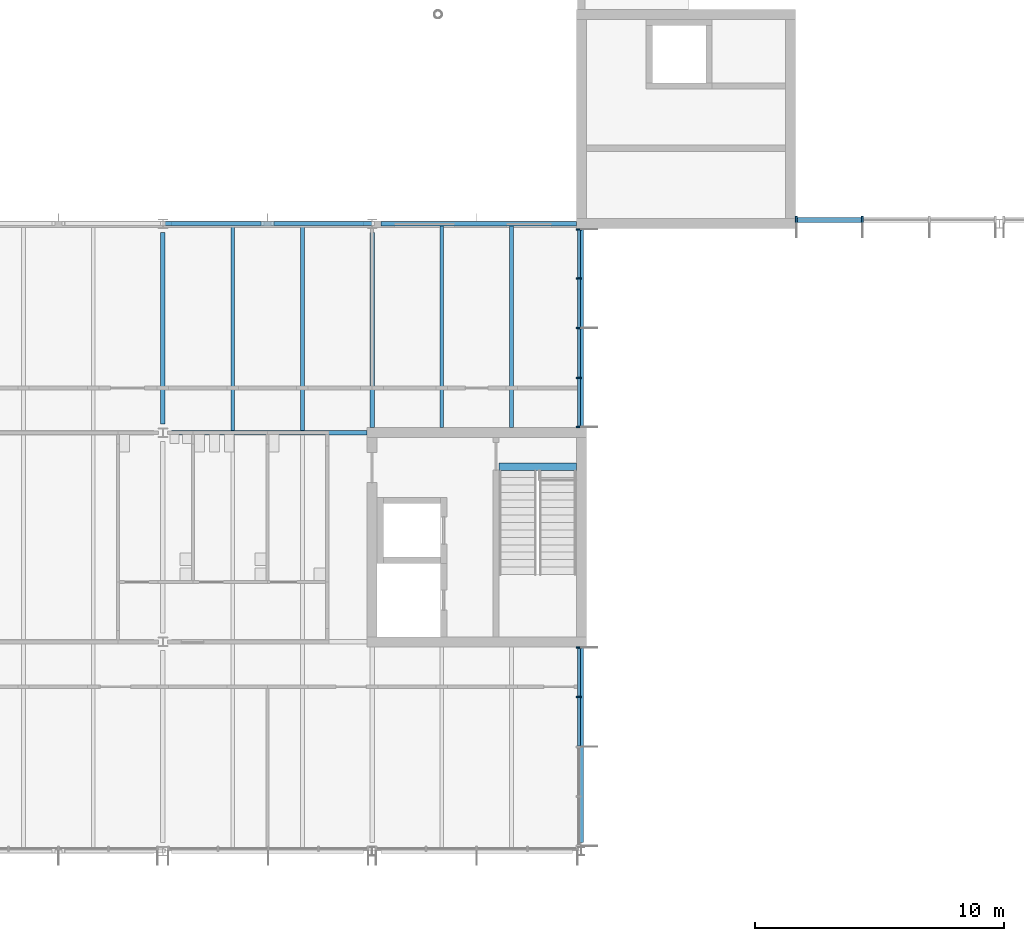
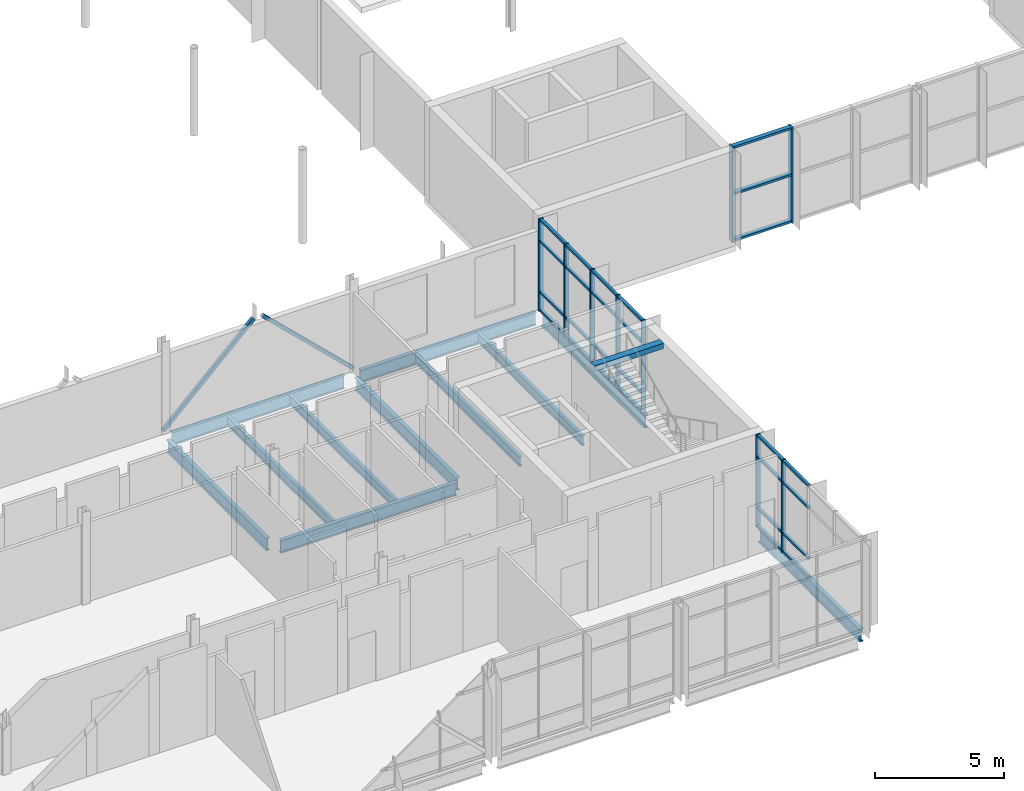
# One storey, part 15 of 89: 38 members, 12 beams, 3 elements without a shape of their own.
"""IFC4 building model written with IfcOpenShell, lengths in metres."""

from ifc_helpers import new_model, si_unit, direction, frame, origin, origin_2d, place, context, subcontext, project, spatial, rectangle, hollow_rectangle, i_section, extrude, material, material_profile, profile_set, type_object, element, aggregate, save


model = new_model("IFC4")

# Units and contexts
model_context = context("Model", 3, precision=1e-05, world=origin(), true_north=direction((0.0, 1.0)))
body_context = subcontext(model_context, "Body", "Model", "MODEL_VIEW")
ifc_project = project(units=[si_unit("LENGTHUNIT", "METRE"), si_unit("AREAUNIT", "SQUARE_METRE"), si_unit("VOLUMEUNIT", "CUBIC_METRE"), si_unit("PLANEANGLEUNIT", "RADIAN"), si_unit("MASSUNIT", "GRAM", prefix="KILO")], contexts=[model_context])

# Site, building, storey
site_placement = place(None, origin())
site = spatial("IfcSite", under=ifc_project, at=site_placement, CompositionType="ELEMENT")
building_placement = place(site_placement, origin())
building = spatial("IfcBuilding", under=site, at=building_placement, Name="Hlaing Beacon Police Headquarters", CompositionType="ELEMENT")
storey_placement = place(building_placement, frame((0.0, 0.0, 9.89990234375)))
storey = spatial("IfcBuildingStorey", under=building, at=storey_placement, Name="L02", CompositionType="ELEMENT", Elevation=9.89990234375)

# Members
ifc_material_1 = material(Name="Steel ASTM A500 Grade C", Category="steel")
ifc_material_profile_1 = material_profile(ifc_material_1, hollow_rectangle(XDim=0.15234375, YDim=0.15234375, WallThickness=0.0126953125, at=origin_2d()), Name="HSS6x6x1/2")
ifc_profile_set_1 = profile_set([ifc_material_profile_1], Name="Steel ASTM A500 Grade C")
member_type_1 = type_object("IfcMemberType", Name="Chevron brace HSS6x6x1/2", PredefinedType="BRACE", material=ifc_profile_set_1)
member_1_placement = place(storey_placement, frame((41.95703125, 33.60009765625, 0.05517578125), z_axis=(0.719900149017, 0.0, 0.694077643672), x_axis=(0.0, 1.0, 0.0)))
element("IfcMember", 1, at=member_1_placement, inside=storey, type_object=member_type_1, Name="STR-BR-L02-5Fa", PredefinedType="BRACE", context=body_context, shape_type="SweptSolid", body=[
    extrude(hollow_rectangle(XDim=0.15234375, YDim=0.15234375, WallThickness=0.0126953125, at=origin_2d()), origin(), (0.0, 0.0, 1.0), 5.615966796875),
])
member_2_placement = place(storey_placement, frame((50.443115234375, 33.60009765625, 0.05517578125), z_axis=(-0.719921090511, 0.0, 0.694055922414), x_axis=(0.0, -1.0, 0.0)))
element("IfcMember", 2, at=member_2_placement, inside=storey, type_object=member_type_1, Name="STR-BR-L02-5Fb", PredefinedType="BRACE", context=body_context, shape_type="SweptSolid", body=[
    extrude(hollow_rectangle(XDim=0.15234375, YDim=0.15234375, WallThickness=0.0126953125, at=origin_2d()), origin(), (0.0, 0.0, 1.0), 5.6162109375),
])

# Beams
ifc_material_2 = material(Name="Steel ASTM A992 Grade 50", Category="steel")
ifc_material_profile_2 = material_profile(ifc_material_2, i_section(OverallWidth=0.177978515625, OverallDepth=0.599365234375, WebThickness=0.010009765625, FlangeThickness=0.012939453125, FilletRadius=0.012939453125, at=origin_2d()), Name="W24x55")
ifc_profile_set_2 = profile_set([ifc_material_profile_2], Name="Steel ASTM A992 Grade 50")
beam_type_1 = type_object("IfcBeamType", Name="Girder W24x55", PredefinedType="BEAM", material=ifc_profile_set_2)
beam_1_placement = place(storey_placement, frame((42.35009765625, 25.199951171875, -0.4296875), z_axis=(1.0, 0.0, 0.0), x_axis=(0.0, 1.0, 0.0)))
element("IfcBeam", 3, at=beam_1_placement, inside=storey, type_object=beam_type_1, Name="STR-BM-L02-GX-F4-G4", PredefinedType="BEAM", context=body_context, shape_type="SweptSolid", body=[
    extrude(i_section(OverallWidth=0.177978515625, OverallDepth=0.599365234375, WebThickness=0.010009765625, FlangeThickness=0.012939453125, FilletRadius=0.012939453125, at=origin_2d()), origin(), (0.0, 0.0, 1.0), 7.849853515625),
])
beam_2_placement = place(storey_placement, frame((42.35009765625, 33.60009765625, -0.4296875), z_axis=(1.0, 0.0, 0.0), x_axis=(0.0, 1.0, 0.0)))
element("IfcBeam", 4, at=beam_2_placement, inside=storey, type_object=beam_type_1, Name="STR-BM-L02-GX-F5-G5", PredefinedType="BEAM", context=body_context, shape_type="SweptSolid", body=[
    extrude(i_section(OverallWidth=0.177978515625, OverallDepth=0.599365234375, WebThickness=0.010009765625, FlangeThickness=0.012939453125, FilletRadius=0.012939453125, at=origin_2d()), origin(), (0.0, 0.0, 1.0), 7.699951171875),
])
beam_3_placement = place(storey_placement, frame((50.75, 33.60009765625, -0.4296875), z_axis=(1.0, 0.0, 0.0), x_axis=(0.0, 1.0, 0.0)))
element("IfcBeam", 5, at=beam_3_placement, inside=storey, type_object=beam_type_1, Name="STR-BM-L02-GX-G5-H5", PredefinedType="BEAM", context=body_context, shape_type="SweptSolid", body=[
    extrude(i_section(OverallWidth=0.177978515625, OverallDepth=0.599365234375, WebThickness=0.010009765625, FlangeThickness=0.012939453125, FilletRadius=0.012939453125, at=origin_2d()), origin(), (0.0, 0.0, 1.0), 7.85009765625),
])
beam_4_placement = place(storey_placement, frame((42.0, 25.550048828125, -0.4296875), z_axis=(0.0, 1.0, 0.0), x_axis=(-1.0, 0.0, 0.0)))
element("IfcBeam", 6, at=beam_4_placement, inside=storey, type_object=beam_type_1, Name="STR-BM-L02-GY-F4-F5", PredefinedType="BEAM", context=body_context, shape_type="SweptSolid", body=[
    extrude(i_section(OverallWidth=0.177978515625, OverallDepth=0.599365234375, WebThickness=0.010009765625, FlangeThickness=0.012939453125, FilletRadius=0.012939453125, at=origin_2d()), origin(), (0.0, 0.0, 1.0), 7.699951171875),
])
for number, where, z_axis, x_axis, name in (
    (7, (50.39990234375, 25.39990234375, -0.4296875), (0.0, 1.0, 0.0), (-1.0, 0.0, 0.0), "STR-BM-L02-GY-G4-G5"),
    (8, (58.800048828125, 8.75, -0.4296875), (0.0, 1.0, 0.0), (-1.0, 0.0, 0.0), "STR-BM-L02-GY-H2-H3"),
):
    element("IfcBeam", number, at=place(storey_placement, frame(where, z_axis=z_axis, x_axis=x_axis)), inside=storey, type_object=beam_type_1, Name=name, PredefinedType="BEAM", context=body_context, shape_type="SweptSolid", body=[
        extrude(i_section(OverallWidth=0.177978515625, OverallDepth=0.599365234375, WebThickness=0.010009765625, FlangeThickness=0.012939453125, FilletRadius=0.012939453125, at=origin_2d()), origin(), (0.0, 0.0, 1.0), 7.85009765625),
    ])
beam_5_placement = place(storey_placement, frame((58.800048828125, 25.39990234375, -0.4296875), z_axis=(0.0, 1.0, 0.0), x_axis=(-1.0, 0.0, 0.0)))
element("IfcBeam", 9, at=beam_5_placement, inside=storey, type_object=beam_type_1, Name="STR-BM-L02-GY-H4-H5", PredefinedType="BEAM", context=body_context, shape_type="SweptSolid", body=[
    extrude(i_section(OverallWidth=0.177978515625, OverallDepth=0.599365234375, WebThickness=0.010009765625, FlangeThickness=0.012939453125, FilletRadius=0.012939453125, at=origin_2d()), origin(), (0.0, 0.0, 1.0), 8.0),
])

# Curtain wall, members
ifc_material_3 = material(Name="Aluminium frame with solar control glazing", Category="aluminium")
curtain_wall_type_1 = type_object("IfcCurtainWallType", Name="Unitised curtain wall 8.02 x 4.37", PredefinedType="NOTDEFINED", material=ifc_material_3)
curtain_wall_1_placement = place(storey_placement, origin())
curtain_wall_1 = element("IfcCurtainWall", 10, at=curtain_wall_1_placement, inside=storey, type_object=curtain_wall_type_1, Name="ENV-CW-L02-E007", PredefinedType="NOTDEFINED")
ifc_material_4 = material(Name="Aluminium", Category="aluminium")
ifc_material_profile_3 = material_profile(ifc_material_4, rectangle(XDim=0.199951171875, YDim=0.06005859375, at=origin_2d()), Name="Mullion 60x200")
ifc_profile_set_3 = profile_set([ifc_material_profile_3], Name="Aluminium")
member_type_2 = type_object("IfcMemberType", Name="Mullion 60x200", PredefinedType="MULLION", material=ifc_profile_set_3)
member_3_placement = place(storey_placement, frame((58.699951171875, 14.59423828125, 0.0), z_axis=(0.0, 0.0, 1.0), x_axis=(-1.0, 0.0, 0.0)))
member_3 = element("IfcMember", 11, at=member_3_placement, type_object=member_type_2, Name="CW-L02-E007 mullion 4", PredefinedType="MULLION", context=body_context, shape_type="SweptSolid", body=[
    extrude(rectangle(XDim=0.199951171875, YDim=0.06005859375, at=origin_2d()), origin(), (0.0, 0.0, 1.0), 4.3701171875),
])
member_4_placement = place(storey_placement, frame((58.699951171875, 16.570068359375, 0.0), z_axis=(0.0, 0.0, 1.0), x_axis=(-1.0, 0.0, 0.0)))
member_4 = element("IfcMember", 12, at=member_4_placement, type_object=member_type_2, Name="CW-L02-E007 mullion 5", PredefinedType="MULLION", context=body_context, shape_type="SweptSolid", body=[
    extrude(rectangle(XDim=0.199951171875, YDim=0.06005859375, at=origin_2d()), origin(), (0.0, 0.0, 1.0), 4.3701171875),
])

ifc_material_5 = material(Name="Aluminium frame with solar control glazing", Category="aluminium")
curtain_wall_type_2 = type_object("IfcCurtainWallType", Name="Unitised curtain wall 8.00 x 4.37", PredefinedType="NOTDEFINED", material=ifc_material_5)
curtain_wall_2_placement = place(storey_placement, origin())
curtain_wall_2 = element("IfcCurtainWall", 13, at=curtain_wall_2_placement, inside=storey, type_object=curtain_wall_type_2, Name="ENV-CW-L02-E008", PredefinedType="NOTDEFINED")
member_5_placement = place(storey_placement, frame((58.699951171875, 25.429931640625, 0.0), z_axis=(0.0, 0.0, 1.0), x_axis=(-1.0, 0.0, 0.0)))
member_5 = element("IfcMember", 14, at=member_5_placement, type_object=member_type_2, Name="CW-L02-E008 mullion 1", PredefinedType="MULLION", context=body_context, shape_type="SweptSolid", body=[
    extrude(rectangle(XDim=0.199951171875, YDim=0.06005859375, at=origin_2d()), origin(), (0.0, 0.0, 1.0), 4.3701171875),
])
member_6_placement = place(storey_placement, frame((58.699951171875, 27.39990234375, 0.0), z_axis=(0.0, 0.0, 1.0), x_axis=(-1.0, 0.0, 0.0)))
member_6 = element("IfcMember", 15, at=member_6_placement, type_object=member_type_2, Name="CW-L02-E008 mullion 2", PredefinedType="MULLION", context=body_context, shape_type="SweptSolid", body=[
    extrude(rectangle(XDim=0.199951171875, YDim=0.06005859375, at=origin_2d()), origin(), (0.0, 0.0, 1.0), 4.3701171875),
])
member_7_placement = place(storey_placement, frame((58.699951171875, 29.39990234375, 0.0), z_axis=(0.0, 0.0, 1.0), x_axis=(-1.0, 0.0, 0.0)))
member_7 = element("IfcMember", 16, at=member_7_placement, type_object=member_type_2, Name="CW-L02-E008 mullion 3", PredefinedType="MULLION", context=body_context, shape_type="SweptSolid", body=[
    extrude(rectangle(XDim=0.199951171875, YDim=0.06005859375, at=origin_2d()), origin(), (0.0, 0.0, 1.0), 4.3701171875),
])
member_8_placement = place(storey_placement, frame((58.699951171875, 31.39990234375, 0.0), z_axis=(0.0, 0.0, 1.0), x_axis=(-1.0, 0.0, 0.0)))
member_8 = element("IfcMember", 17, at=member_8_placement, type_object=member_type_2, Name="CW-L02-E008 mullion 4", PredefinedType="MULLION", context=body_context, shape_type="SweptSolid", body=[
    extrude(rectangle(XDim=0.199951171875, YDim=0.06005859375, at=origin_2d()), origin(), (0.0, 0.0, 1.0), 4.3701171875),
])
member_9_placement = place(storey_placement, frame((58.699951171875, 33.3701171875, 0.0), z_axis=(0.0, 0.0, 1.0), x_axis=(-1.0, 0.0, 0.0)))
member_9 = element("IfcMember", 18, at=member_9_placement, type_object=member_type_2, Name="CW-L02-E008 mullion 5", PredefinedType="MULLION", context=body_context, shape_type="SweptSolid", body=[
    extrude(rectangle(XDim=0.199951171875, YDim=0.06005859375, at=origin_2d()), origin(), (0.0, 0.0, 1.0), 4.3701171875),
])

ifc_material_6 = material(Name="Aluminium frame with solar control glazing", Category="aluminium")
curtain_wall_type_3 = type_object("IfcCurtainWallType", Name="Structural glazed gable wall 8.07 x 4.50", PredefinedType="NOTDEFINED", material=ifc_material_6)
curtain_wall_3_placement = place(storey_placement, origin())
curtain_wall_3 = element("IfcCurtainWall", 19, at=curtain_wall_3_placement, inside=storey, type_object=curtain_wall_type_3, Name="ENV-CW-L02-S005", PredefinedType="NOTDEFINED")
ifc_material_7 = material(Name="Aluminium", Category="aluminium")
ifc_material_profile_4 = material_profile(ifc_material_7, rectangle(XDim=0.300048828125, YDim=0.080078125, at=origin_2d()), Name="Mullion 80x300")
ifc_profile_set_4 = profile_set([ifc_material_profile_4], Name="Aluminium")
member_type_3 = type_object("IfcMemberType", Name="Mullion 80x300", PredefinedType="MULLION", material=ifc_profile_set_4)
member_10_placement = place(storey_placement, frame((67.43994140625, 33.75, 0.0), z_axis=(0.0, 0.0, 1.0), x_axis=(0.0, 1.0, 0.0)))
member_10 = element("IfcMember", 20, at=member_10_placement, type_object=member_type_3, Name="CW-L02-S005 mullion 1", PredefinedType="MULLION", context=body_context, shape_type="SweptSolid", body=[
    extrude(rectangle(XDim=0.300048828125, YDim=0.080078125, at=origin_2d()), origin(), (0.0, 0.0, 1.0), 4.5),
])
member_11_placement = place(storey_placement, frame((70.090576171875, 33.75, 0.0), z_axis=(0.0, 0.0, 1.0), x_axis=(0.0, 1.0, 0.0)))
member_11 = element("IfcMember", 21, at=member_11_placement, type_object=member_type_3, Name="CW-L02-S005 mullion 2", PredefinedType="MULLION", context=body_context, shape_type="SweptSolid", body=[
    extrude(rectangle(XDim=0.300048828125, YDim=0.080078125, at=origin_2d()), origin(), (0.0, 0.0, 1.0), 4.5),
])

# Beams
ifc_material_8 = material(Name="Steel ASTM A992 Grade 50", Category="steel")
ifc_material_profile_5 = material_profile(ifc_material_8, i_section(OverallWidth=0.15234375, OverallDepth=0.449462890625, WebThickness=0.007568359375, FlangeThickness=0.0107421875, FilletRadius=0.01025390625, at=origin_2d()), Name="W18x35")
ifc_profile_set_5 = profile_set([ifc_material_profile_5], Name="Steel ASTM A992 Grade 50")
beam_type_2 = type_object("IfcBeamType", Name="Secondary beam W18x35", PredefinedType="BEAM", material=ifc_profile_set_5)
for number, where, z_axis, x_axis, name in (
    (22, (44.800048828125, 25.2890625, -0.354736328125), (0.0, 1.0, 0.0), (-1.0, 0.0, 0.0), "STR-BM-L02-SB-F4-y1"),
    (23, (47.60009765625, 25.2890625, -0.354736328125), (0.0, 1.0, 0.0), (-1.0, 0.0, 0.0), "STR-BM-L02-SB-F4-y2"),
):
    element("IfcBeam", number, at=place(storey_placement, frame(where, z_axis=z_axis, x_axis=x_axis)), inside=storey, type_object=beam_type_2, Name=name, PredefinedType="BEAM", context=body_context, shape_type="SweptSolid", body=[
        extrude(i_section(OverallWidth=0.15234375, OverallDepth=0.449462890625, WebThickness=0.007568359375, FlangeThickness=0.0107421875, FilletRadius=0.01025390625, at=origin_2d()), origin(), (0.0, 0.0, 1.0), 8.221923828125),
    ])
for number, where, z_axis, x_axis, name in (
    (24, (53.199951171875, 25.39990234375, -0.354736328125), (0.0, 1.0, 0.0), (-1.0, 0.0, 0.0), "STR-BM-L02-SB-G4-y1"),
    (25, (56.0, 25.39990234375, -0.354736328125), (0.0, 1.0, 0.0), (-1.0, 0.0, 0.0), "STR-BM-L02-SB-G4-y2"),
):
    element("IfcBeam", number, at=place(storey_placement, frame(where, z_axis=z_axis, x_axis=x_axis)), inside=storey, type_object=beam_type_2, Name=name, PredefinedType="BEAM", context=body_context, shape_type="SweptSolid", body=[
        extrude(i_section(OverallWidth=0.15234375, OverallDepth=0.449462890625, WebThickness=0.007568359375, FlangeThickness=0.0107421875, FilletRadius=0.01025390625, at=origin_2d()), origin(), (0.0, 0.0, 1.0), 8.111083984375),
    ])
ifc_material_9 = material(Name="Concrete C40/50", Category="concrete")
ifc_material_profile_6 = material_profile(ifc_material_9, rectangle(XDim=0.300048828125, YDim=0.25, at=origin_2d()), Name="Stair arrival beam 300x250")
ifc_profile_set_6 = profile_set([ifc_material_profile_6], Name="Concrete C40/50")
beam_type_3 = type_object("IfcBeamType", Name="Stair arrival beam 300x250", PredefinedType="BEAM", material=ifc_profile_set_6)
beam_6_placement = place(storey_placement, frame((58.60009765625, 23.840087890625, 4.2451171875), z_axis=(-1.0, 0.0, 0.0), x_axis=(0.0, -1.0, 0.0)))
element("IfcBeam", 26, at=beam_6_placement, inside=storey, type_object=beam_type_3, Name="Stair arrival beam ST-K", PredefinedType="BEAM", context=body_context, shape_type="SweptSolid", body=[
    extrude(rectangle(XDim=0.300048828125, YDim=0.25, at=origin_2d()), origin(), (0.0, 0.0, 1.0), 3.10009765625),
])

# Member
ifc_material_10 = material(Name="Aluminium", Category="aluminium")
ifc_material_profile_7 = material_profile(ifc_material_10, rectangle(XDim=0.1201171875, YDim=0.10009765625, at=origin_2d()), Name="Transom 120x100")
ifc_profile_set_7 = profile_set([ifc_material_profile_7], Name="Aluminium")
member_type_4 = type_object("IfcMemberType", Name="Transom 120x100", PredefinedType="USERDEFINED", material=ifc_profile_set_7)
member_12_placement = place(storey_placement, frame((58.699951171875, 12.6181640625, 0.050048828125), z_axis=(0.0, 1.0, 0.0), x_axis=(-1.0, 0.0, 0.0)))
member_12 = element("IfcMember", 27, at=member_12_placement, type_object=member_type_4, Name="CW-L02-E007 transom 3.1", ObjectType="TRANSOM", PredefinedType="USERDEFINED", context=body_context, shape_type="SweptSolid", body=[
    extrude(rectangle(XDim=0.1201171875, YDim=0.10009765625, at=origin_2d()), origin(), (0.0, 0.0, 1.0), 1.946044921875),
])

member_13_placement = place(storey_placement, frame((58.699951171875, 12.6181640625, 0.900146484375), z_axis=(0.0, 1.0, 0.0), x_axis=(-1.0, 0.0, 0.0)))
member_13 = element("IfcMember", 28, at=member_13_placement, type_object=member_type_4, Name="CW-L02-E007 transom 3.2", ObjectType="TRANSOM", PredefinedType="USERDEFINED", context=body_context, shape_type="SweptSolid", body=[
    extrude(rectangle(XDim=0.1201171875, YDim=0.10009765625, at=origin_2d()), origin(), (0.0, 0.0, 1.0), 1.946044921875),
])

member_14_placement = place(storey_placement, frame((58.699951171875, 12.6181640625, 3.300048828125), z_axis=(0.0, 1.0, 0.0), x_axis=(-1.0, 0.0, 0.0)))
member_14 = element("IfcMember", 29, at=member_14_placement, type_object=member_type_4, Name="CW-L02-E007 transom 3.3", ObjectType="TRANSOM", PredefinedType="USERDEFINED", context=body_context, shape_type="SweptSolid", body=[
    extrude(rectangle(XDim=0.1201171875, YDim=0.10009765625, at=origin_2d()), origin(), (0.0, 0.0, 1.0), 1.946044921875),
])

member_15_placement = place(storey_placement, frame((58.699951171875, 12.6181640625, 4.320068359375), z_axis=(0.0, 1.0, 0.0), x_axis=(-1.0, 0.0, 0.0)))
member_15 = element("IfcMember", 30, at=member_15_placement, type_object=member_type_4, Name="CW-L02-E007 transom 3.4", ObjectType="TRANSOM", PredefinedType="USERDEFINED", context=body_context, shape_type="SweptSolid", body=[
    extrude(rectangle(XDim=0.1201171875, YDim=0.10009765625, at=origin_2d()), origin(), (0.0, 0.0, 1.0), 1.946044921875),
])

member_16_placement = place(storey_placement, frame((58.699951171875, 14.6240234375, 0.050048828125), z_axis=(0.0, 1.0, 0.0), x_axis=(-1.0, 0.0, 0.0)))
member_16 = element("IfcMember", 31, at=member_16_placement, type_object=member_type_4, Name="CW-L02-E007 transom 4.1", ObjectType="TRANSOM", PredefinedType="USERDEFINED", context=body_context, shape_type="SweptSolid", body=[
    extrude(rectangle(XDim=0.1201171875, YDim=0.10009765625, at=origin_2d()), origin(), (0.0, 0.0, 1.0), 1.916015625),
])

member_17_placement = place(storey_placement, frame((58.699951171875, 14.6240234375, 0.900146484375), z_axis=(0.0, 1.0, 0.0), x_axis=(-1.0, 0.0, 0.0)))
member_17 = element("IfcMember", 32, at=member_17_placement, type_object=member_type_4, Name="CW-L02-E007 transom 4.2", ObjectType="TRANSOM", PredefinedType="USERDEFINED", context=body_context, shape_type="SweptSolid", body=[
    extrude(rectangle(XDim=0.1201171875, YDim=0.10009765625, at=origin_2d()), origin(), (0.0, 0.0, 1.0), 1.916015625),
])

member_18_placement = place(storey_placement, frame((58.699951171875, 14.6240234375, 3.300048828125), z_axis=(0.0, 1.0, 0.0), x_axis=(-1.0, 0.0, 0.0)))
member_18 = element("IfcMember", 33, at=member_18_placement, type_object=member_type_4, Name="CW-L02-E007 transom 4.3", ObjectType="TRANSOM", PredefinedType="USERDEFINED", context=body_context, shape_type="SweptSolid", body=[
    extrude(rectangle(XDim=0.1201171875, YDim=0.10009765625, at=origin_2d()), origin(), (0.0, 0.0, 1.0), 1.916015625),
])

member_19_placement = place(storey_placement, frame((58.699951171875, 14.6240234375, 4.320068359375), z_axis=(0.0, 1.0, 0.0), x_axis=(-1.0, 0.0, 0.0)))
member_19 = element("IfcMember", 34, at=member_19_placement, type_object=member_type_4, Name="CW-L02-E007 transom 4.4", ObjectType="TRANSOM", PredefinedType="USERDEFINED", context=body_context, shape_type="SweptSolid", body=[
    extrude(rectangle(XDim=0.1201171875, YDim=0.10009765625, at=origin_2d()), origin(), (0.0, 0.0, 1.0), 1.916015625),
])

aggregate(curtain_wall_1, [member_3, member_4, member_12, member_13, member_14, member_15, member_16, member_17, member_18, member_19])

member_20_placement = place(storey_placement, frame((58.699951171875, 25.4599609375, 0.050048828125), z_axis=(0.0, 1.0, 0.0), x_axis=(-1.0, 0.0, 0.0)))
member_20 = element("IfcMember", 35, at=member_20_placement, type_object=member_type_4, Name="CW-L02-E008 transom 1.1", ObjectType="TRANSOM", PredefinedType="USERDEFINED", context=body_context, shape_type="SweptSolid", body=[
    extrude(rectangle(XDim=0.1201171875, YDim=0.10009765625, at=origin_2d()), origin(), (0.0, 0.0, 1.0), 1.91015625),
])

member_21_placement = place(storey_placement, frame((58.699951171875, 25.4599609375, 0.900146484375), z_axis=(0.0, 1.0, 0.0), x_axis=(-1.0, 0.0, 0.0)))
member_21 = element("IfcMember", 36, at=member_21_placement, type_object=member_type_4, Name="CW-L02-E008 transom 1.2", ObjectType="TRANSOM", PredefinedType="USERDEFINED", context=body_context, shape_type="SweptSolid", body=[
    extrude(rectangle(XDim=0.1201171875, YDim=0.10009765625, at=origin_2d()), origin(), (0.0, 0.0, 1.0), 1.91015625),
])

member_22_placement = place(storey_placement, frame((58.699951171875, 25.4599609375, 3.300048828125), z_axis=(0.0, 1.0, 0.0), x_axis=(-1.0, 0.0, 0.0)))
member_22 = element("IfcMember", 37, at=member_22_placement, type_object=member_type_4, Name="CW-L02-E008 transom 1.3", ObjectType="TRANSOM", PredefinedType="USERDEFINED", context=body_context, shape_type="SweptSolid", body=[
    extrude(rectangle(XDim=0.1201171875, YDim=0.10009765625, at=origin_2d()), origin(), (0.0, 0.0, 1.0), 1.91015625),
])

member_23_placement = place(storey_placement, frame((58.699951171875, 25.4599609375, 4.320068359375), z_axis=(0.0, 1.0, 0.0), x_axis=(-1.0, 0.0, 0.0)))
member_23 = element("IfcMember", 38, at=member_23_placement, type_object=member_type_4, Name="CW-L02-E008 transom 1.4", ObjectType="TRANSOM", PredefinedType="USERDEFINED", context=body_context, shape_type="SweptSolid", body=[
    extrude(rectangle(XDim=0.1201171875, YDim=0.10009765625, at=origin_2d()), origin(), (0.0, 0.0, 1.0), 1.91015625),
])

member_24_placement = place(storey_placement, frame((58.699951171875, 27.429931640625, 0.050048828125), z_axis=(0.0, 1.0, 0.0), x_axis=(-1.0, 0.0, 0.0)))
member_24 = element("IfcMember", 39, at=member_24_placement, type_object=member_type_4, Name="CW-L02-E008 transom 2.1", ObjectType="TRANSOM", PredefinedType="USERDEFINED", context=body_context, shape_type="SweptSolid", body=[
    extrude(rectangle(XDim=0.1201171875, YDim=0.10009765625, at=origin_2d()), origin(), (0.0, 0.0, 1.0), 1.940185546875),
])

member_25_placement = place(storey_placement, frame((58.699951171875, 27.429931640625, 0.900146484375), z_axis=(0.0, 1.0, 0.0), x_axis=(-1.0, 0.0, 0.0)))
member_25 = element("IfcMember", 40, at=member_25_placement, type_object=member_type_4, Name="CW-L02-E008 transom 2.2", ObjectType="TRANSOM", PredefinedType="USERDEFINED", context=body_context, shape_type="SweptSolid", body=[
    extrude(rectangle(XDim=0.1201171875, YDim=0.10009765625, at=origin_2d()), origin(), (0.0, 0.0, 1.0), 1.940185546875),
])

member_26_placement = place(storey_placement, frame((58.699951171875, 27.429931640625, 3.300048828125), z_axis=(0.0, 1.0, 0.0), x_axis=(-1.0, 0.0, 0.0)))
member_26 = element("IfcMember", 41, at=member_26_placement, type_object=member_type_4, Name="CW-L02-E008 transom 2.3", ObjectType="TRANSOM", PredefinedType="USERDEFINED", context=body_context, shape_type="SweptSolid", body=[
    extrude(rectangle(XDim=0.1201171875, YDim=0.10009765625, at=origin_2d()), origin(), (0.0, 0.0, 1.0), 1.940185546875),
])

member_27_placement = place(storey_placement, frame((58.699951171875, 27.429931640625, 4.320068359375), z_axis=(0.0, 1.0, 0.0), x_axis=(-1.0, 0.0, 0.0)))
member_27 = element("IfcMember", 42, at=member_27_placement, type_object=member_type_4, Name="CW-L02-E008 transom 2.4", ObjectType="TRANSOM", PredefinedType="USERDEFINED", context=body_context, shape_type="SweptSolid", body=[
    extrude(rectangle(XDim=0.1201171875, YDim=0.10009765625, at=origin_2d()), origin(), (0.0, 0.0, 1.0), 1.940185546875),
])

member_28_placement = place(storey_placement, frame((58.699951171875, 29.429931640625, 0.050048828125), z_axis=(0.0, 1.0, 0.0), x_axis=(-1.0, 0.0, 0.0)))
member_28 = element("IfcMember", 43, at=member_28_placement, type_object=member_type_4, Name="CW-L02-E008 transom 3.1", ObjectType="TRANSOM", PredefinedType="USERDEFINED", context=body_context, shape_type="SweptSolid", body=[
    extrude(rectangle(XDim=0.1201171875, YDim=0.10009765625, at=origin_2d()), origin(), (0.0, 0.0, 1.0), 1.940185546875),
])

member_29_placement = place(storey_placement, frame((58.699951171875, 29.429931640625, 0.900146484375), z_axis=(0.0, 1.0, 0.0), x_axis=(-1.0, 0.0, 0.0)))
member_29 = element("IfcMember", 44, at=member_29_placement, type_object=member_type_4, Name="CW-L02-E008 transom 3.2", ObjectType="TRANSOM", PredefinedType="USERDEFINED", context=body_context, shape_type="SweptSolid", body=[
    extrude(rectangle(XDim=0.1201171875, YDim=0.10009765625, at=origin_2d()), origin(), (0.0, 0.0, 1.0), 1.940185546875),
])

member_30_placement = place(storey_placement, frame((58.699951171875, 29.429931640625, 3.300048828125), z_axis=(0.0, 1.0, 0.0), x_axis=(-1.0, 0.0, 0.0)))
member_30 = element("IfcMember", 45, at=member_30_placement, type_object=member_type_4, Name="CW-L02-E008 transom 3.3", ObjectType="TRANSOM", PredefinedType="USERDEFINED", context=body_context, shape_type="SweptSolid", body=[
    extrude(rectangle(XDim=0.1201171875, YDim=0.10009765625, at=origin_2d()), origin(), (0.0, 0.0, 1.0), 1.940185546875),
])

member_31_placement = place(storey_placement, frame((58.699951171875, 29.429931640625, 4.320068359375), z_axis=(0.0, 1.0, 0.0), x_axis=(-1.0, 0.0, 0.0)))
member_31 = element("IfcMember", 46, at=member_31_placement, type_object=member_type_4, Name="CW-L02-E008 transom 3.4", ObjectType="TRANSOM", PredefinedType="USERDEFINED", context=body_context, shape_type="SweptSolid", body=[
    extrude(rectangle(XDim=0.1201171875, YDim=0.10009765625, at=origin_2d()), origin(), (0.0, 0.0, 1.0), 1.940185546875),
])

member_32_placement = place(storey_placement, frame((58.699951171875, 31.429931640625, 0.050048828125), z_axis=(0.0, 1.0, 0.0), x_axis=(-1.0, 0.0, 0.0)))
member_32 = element("IfcMember", 47, at=member_32_placement, type_object=member_type_4, Name="CW-L02-E008 transom 4.1", ObjectType="TRANSOM", PredefinedType="USERDEFINED", context=body_context, shape_type="SweptSolid", body=[
    extrude(rectangle(XDim=0.1201171875, YDim=0.10009765625, at=origin_2d()), origin(), (0.0, 0.0, 1.0), 1.91015625),
])

member_33_placement = place(storey_placement, frame((58.699951171875, 31.429931640625, 0.900146484375), z_axis=(0.0, 1.0, 0.0), x_axis=(-1.0, 0.0, 0.0)))
member_33 = element("IfcMember", 48, at=member_33_placement, type_object=member_type_4, Name="CW-L02-E008 transom 4.2", ObjectType="TRANSOM", PredefinedType="USERDEFINED", context=body_context, shape_type="SweptSolid", body=[
    extrude(rectangle(XDim=0.1201171875, YDim=0.10009765625, at=origin_2d()), origin(), (0.0, 0.0, 1.0), 1.91015625),
])

member_34_placement = place(storey_placement, frame((58.699951171875, 31.429931640625, 3.300048828125), z_axis=(0.0, 1.0, 0.0), x_axis=(-1.0, 0.0, 0.0)))
member_34 = element("IfcMember", 49, at=member_34_placement, type_object=member_type_4, Name="CW-L02-E008 transom 4.3", ObjectType="TRANSOM", PredefinedType="USERDEFINED", context=body_context, shape_type="SweptSolid", body=[
    extrude(rectangle(XDim=0.1201171875, YDim=0.10009765625, at=origin_2d()), origin(), (0.0, 0.0, 1.0), 1.91015625),
])

member_35_placement = place(storey_placement, frame((58.699951171875, 31.429931640625, 4.320068359375), z_axis=(0.0, 1.0, 0.0), x_axis=(-1.0, 0.0, 0.0)))
member_35 = element("IfcMember", 50, at=member_35_placement, type_object=member_type_4, Name="CW-L02-E008 transom 4.4", ObjectType="TRANSOM", PredefinedType="USERDEFINED", context=body_context, shape_type="SweptSolid", body=[
    extrude(rectangle(XDim=0.1201171875, YDim=0.10009765625, at=origin_2d()), origin(), (0.0, 0.0, 1.0), 1.91015625),
])

aggregate(curtain_wall_2, [member_5, member_6, member_7, member_8, member_9, member_20, member_21, member_22, member_23, member_24, member_25, member_26, member_27, member_28, member_29, member_30, member_31, member_32, member_33, member_34, member_35])

ifc_material_11 = material(Name="Aluminium", Category="aluminium")
ifc_material_profile_8 = material_profile(ifc_material_11, rectangle(XDim=0.199951171875, YDim=0.10009765625, at=origin_2d()), Name="Transom 200x100")
ifc_profile_set_8 = profile_set([ifc_material_profile_8], Name="Aluminium")
member_type_5 = type_object("IfcMemberType", Name="Transom 200x100", PredefinedType="USERDEFINED", material=ifc_profile_set_8)
member_36_placement = place(storey_placement, frame((67.47998046875, 33.75, 0.050048828125), z_axis=(1.0, 0.0, 0.0), x_axis=(0.0, 1.0, 0.0)))
member_36 = element("IfcMember", 51, at=member_36_placement, type_object=member_type_5, Name="CW-L02-S005 transom 1.1", ObjectType="TRANSOM", PredefinedType="USERDEFINED", context=body_context, shape_type="SweptSolid", body=[
    extrude(rectangle(XDim=0.199951171875, YDim=0.10009765625, at=origin_2d()), origin(), (0.0, 0.0, 1.0), 2.570556640625),
])

member_37_placement = place(storey_placement, frame((67.47998046875, 33.75, 2.25), z_axis=(1.0, 0.0, 0.0), x_axis=(0.0, 1.0, 0.0)))
member_37 = element("IfcMember", 52, at=member_37_placement, type_object=member_type_5, Name="CW-L02-S005 transom 1.2", ObjectType="TRANSOM", PredefinedType="USERDEFINED", context=body_context, shape_type="SweptSolid", body=[
    extrude(rectangle(XDim=0.199951171875, YDim=0.10009765625, at=origin_2d()), origin(), (0.0, 0.0, 1.0), 2.570556640625),
])

member_38_placement = place(storey_placement, frame((67.47998046875, 33.75, 4.4501953125), z_axis=(1.0, 0.0, 0.0), x_axis=(0.0, 1.0, 0.0)))
member_38 = element("IfcMember", 53, at=member_38_placement, type_object=member_type_5, Name="CW-L02-S005 transom 1.3", ObjectType="TRANSOM", PredefinedType="USERDEFINED", context=body_context, shape_type="SweptSolid", body=[
    extrude(rectangle(XDim=0.199951171875, YDim=0.10009765625, at=origin_2d()), origin(), (0.0, 0.0, 1.0), 2.570556640625),
])

aggregate(curtain_wall_3, [member_10, member_11, member_36, member_37, member_38])

save(model, "model.ifc")
